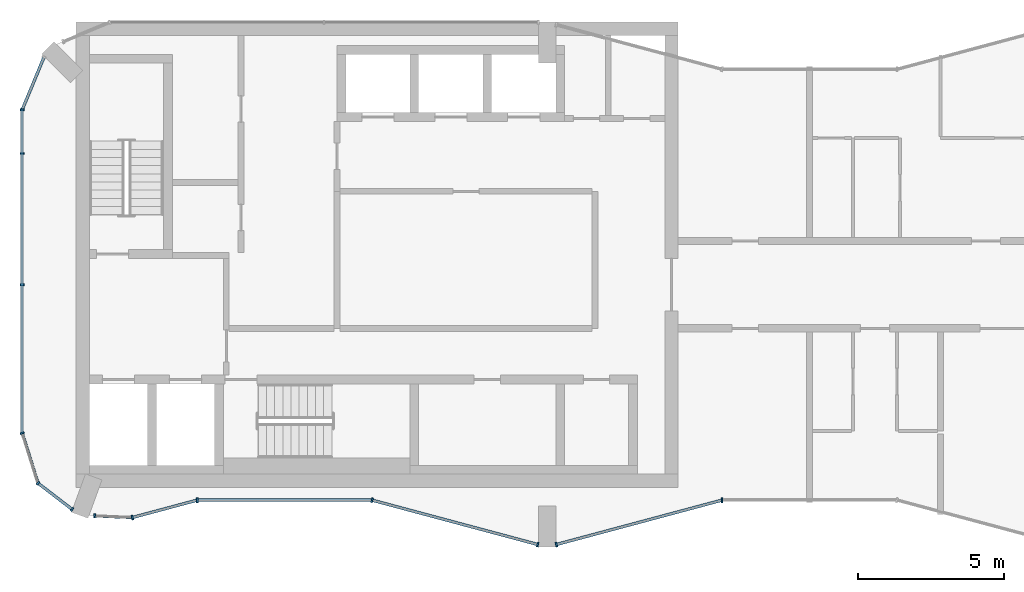
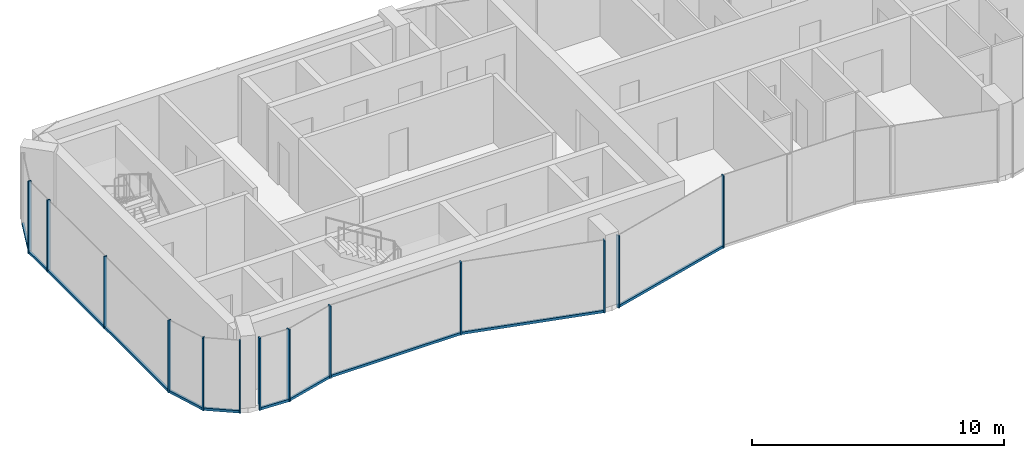
# One storey, part 2 of 10: 22 members, 10 elements without a shape of their own.
"""IFC4 building model written with IfcOpenShell, lengths in metres."""

from ifc_helpers import new_model, si_unit, direction, frame, origin, origin_2d, place, context, subcontext, project, spatial, rectangle, extrude, material, layer, layer_set, material_profile, profile_set, type_object, element, aggregate, save


model = new_model("IFC4")

# Units and contexts
model_context = context("Model", 3, precision=1e-05, world=origin(), true_north=direction((0.0, 1.0)))
body_context = subcontext(model_context, "Body", "Model", "MODEL_VIEW")
ifc_project = project(units=[si_unit("LENGTHUNIT", "METRE"), si_unit("AREAUNIT", "SQUARE_METRE"), si_unit("VOLUMEUNIT", "CUBIC_METRE"), si_unit("PLANEANGLEUNIT", "RADIAN"), si_unit("MASSUNIT", "GRAM", prefix="KILO")], contexts=[model_context])

# Site, building, storey
site_placement = place(None, origin())
site = spatial("IfcSite", under=ifc_project, at=site_placement, CompositionType="ELEMENT")
building_placement = place(site_placement, origin())
building = spatial("IfcBuilding", under=site, at=building_placement, Name="Plateau Cross Towers", CompositionType="ELEMENT")
storey_placement = place(building_placement, frame((0.0, 0.0, 273.89990234375)))
storey = spatial("IfcBuildingStorey", under=building, at=storey_placement, Name="L72", CompositionType="ELEMENT", Elevation=273.89990234375)

# Curtain wall, members
ifc_material_1 = material(Name="Dark low-iron glass", Category="glass")
ifc_layer_1 = layer(ifc_material_1, 0.239990234375)
ifc_layer_set_1 = layer_set([ifc_layer_1], Name="Dark low-iron glass")
curtain_wall_type_1 = type_object("IfcCurtainWallType", Name="Curtain wall flush unitised CW-B", PredefinedType="NOTDEFINED", material=ifc_layer_set_1)
curtain_wall_1_placement = place(storey_placement, origin())
curtain_wall_1 = element("IfcCurtainWall", 1, at=curtain_wall_1_placement, inside=storey, type_object=curtain_wall_type_1, Name="ENV/A/L72/A0_150", PredefinedType="NOTDEFINED")
ifc_material_2 = material(Name="Black anodised aluminium", Category="aluminium")
ifc_material_profile_1 = material_profile(ifc_material_2, rectangle(XDim=0.06005859375, YDim=0.139892578125, at=origin_2d()), Name="MULLION 60x140")
ifc_profile_set_1 = profile_set([ifc_material_profile_1], Name="Black anodised aluminium")
member_type_1 = type_object("IfcMemberType", Name="Mullion 60x140 flush unitised", PredefinedType="MULLION", material=ifc_profile_set_1)
member_1_placement = place(storey_placement, frame((0.0, 15.0, -0.25), z_axis=(0.0, 0.0, 1.0), x_axis=(0.0, -1.0, 0.0)))
member_1 = element("IfcMember", 2, at=member_1_placement, type_object=member_type_1, Name="CW-B mullion 1", PredefinedType="MULLION", context=body_context, shape_type="SweptSolid", body=[
    extrude(rectangle(XDim=0.06005859375, YDim=0.139892578125, at=origin_2d()), origin(), (0.0, 0.0, 1.0), 3.5),
])
member_2_placement = place(storey_placement, frame((0.0, 13.5, -0.25), z_axis=(0.0, 0.0, 1.0), x_axis=(0.0, -1.0, 0.0)))
member_2 = element("IfcMember", 3, at=member_2_placement, type_object=member_type_1, Name="CW-B mullion 2", PredefinedType="MULLION", context=body_context, shape_type="SweptSolid", body=[
    extrude(rectangle(XDim=0.06005859375, YDim=0.139892578125, at=origin_2d()), origin(), (0.0, 0.0, 1.0), 3.5),
])
member_3_placement = place(storey_placement, frame((0.0, 9.0, -0.25), z_axis=(0.0, 0.0, 1.0), x_axis=(0.0, -1.0, 0.0)))
member_3 = element("IfcMember", 4, at=member_3_placement, type_object=member_type_1, Name="CW-B mullion 3", PredefinedType="MULLION", context=body_context, shape_type="SweptSolid", body=[
    extrude(rectangle(XDim=0.06005859375, YDim=0.139892578125, at=origin_2d()), origin(), (0.0, 0.0, 1.0), 3.5),
])

# Curtain wall, member
curtain_wall_2_placement = place(storey_placement, origin())
curtain_wall_2 = element("IfcCurtainWall", 5, at=curtain_wall_2_placement, inside=storey, type_object=curtain_wall_type_1, Name="ENV/A/L72/A0_39", PredefinedType="NOTDEFINED")
member_4_placement = place(storey_placement, frame((0.0, 3.9091796875, -0.25), z_axis=(0.0, 0.0, 1.0), x_axis=(0.300686174994, -0.95372313811, 0.0)))
member_4 = element("IfcMember", 6, at=member_4_placement, type_object=member_type_1, Name="CW-B mullion 1", PredefinedType="MULLION", context=body_context, shape_type="SweptSolid", body=[
    extrude(rectangle(XDim=0.06005859375, YDim=0.139892578125, at=origin_2d()), origin(), (0.0, 0.0, 1.0), 3.5),
])

# Curtain wall, members
curtain_wall_3_placement = place(storey_placement, origin())
curtain_wall_3 = element("IfcCurtainWall", 7, at=curtain_wall_3_placement, inside=storey, type_object=curtain_wall_type_1, Name="ENV/A/L72/A5_22", PredefinedType="NOTDEFINED")
member_5_placement = place(storey_placement, frame((0.54248046875, 2.1884765625, -0.25), z_axis=(0.0, 0.0, 1.0), x_axis=(0.793315514529, -0.608810721331, 0.0)))
member_5 = element("IfcMember", 8, at=member_5_placement, type_object=member_type_1, Name="CW-B mullion 1", PredefinedType="MULLION", context=body_context, shape_type="SweptSolid", body=[
    extrude(rectangle(XDim=0.06005859375, YDim=0.139892578125, at=origin_2d()), origin(), (0.0, 0.0, 1.0), 3.5),
])
member_6_placement = place(storey_placement, frame((1.709716796875, 1.292724609375, -0.25), z_axis=(0.0, 0.0, 1.0), x_axis=(0.793315514529, -0.608810721331, 0.0)))
member_6 = element("IfcMember", 9, at=member_6_placement, type_object=member_type_1, Name="CW-B mullion 2", PredefinedType="MULLION", context=body_context, shape_type="SweptSolid", body=[
    extrude(rectangle(XDim=0.06005859375, YDim=0.139892578125, at=origin_2d()), origin(), (0.0, 0.0, 1.0), 3.5),
])

# Curtain wall, member
curtain_wall_4_placement = place(storey_placement, origin())
curtain_wall_4 = element("IfcCurtainWall", 10, at=curtain_wall_4_placement, inside=storey, type_object=curtain_wall_type_1, Name="ENV/A/L72/A25_11", PredefinedType="NOTDEFINED")
member_7_placement = place(storey_placement, frame((2.483642578125, 1.06787109375, -0.25), z_axis=(0.0, 0.0, 1.0), x_axis=(0.999043701491, -0.043722791671, 0.0)))
member_7 = element("IfcMember", 11, at=member_7_placement, type_object=member_type_1, Name="CW-B mullion 1", PredefinedType="MULLION", context=body_context, shape_type="SweptSolid", body=[
    extrude(rectangle(XDim=0.06005859375, YDim=0.139892578125, at=origin_2d()), origin(), (0.0, 0.0, 1.0), 3.5),
])

ifc_layer_2 = layer(ifc_material_1, 0.260009765625)
ifc_layer_set_2 = layer_set([ifc_layer_2], Name="Dark low-iron glass")
curtain_wall_type_2 = type_object("IfcCurtainWallType", Name="Curtain wall fluted unitised CW-A", PredefinedType="NOTDEFINED", material=ifc_layer_set_2)
curtain_wall_5_placement = place(storey_placement, origin())
curtain_wall_5 = element("IfcCurtainWall", 12, at=curtain_wall_5_placement, inside=storey, type_object=curtain_wall_type_2, Name="ENV/A/L72/A38_10", PredefinedType="NOTDEFINED")
ifc_material_profile_2 = material_profile(ifc_material_2, rectangle(XDim=0.06005859375, YDim=0.159912109375, at=origin_2d()), Name="MULLION 60x160")
ifc_profile_set_2 = profile_set([ifc_material_profile_2], Name="Black anodised aluminium")
member_type_2 = type_object("IfcMemberType", Name="Mullion 60x160 fluted unitised", PredefinedType="MULLION", material=ifc_profile_set_2)
member_8_placement = place(storey_placement, frame((3.776123046875, 1.01123046875, -0.25), z_axis=(0.0, 0.0, 1.0), x_axis=(0.965957962328, 0.258699081978, 0.0)))
member_8 = element("IfcMember", 13, at=member_8_placement, type_object=member_type_2, Name="CW-A mullion 1", PredefinedType="MULLION", context=body_context, shape_type="SweptSolid", body=[
    extrude(rectangle(XDim=0.06005859375, YDim=0.159912109375, at=origin_2d()), origin(), (0.0, 0.0, 1.0), 3.5),
])

curtain_wall_6_placement = place(storey_placement, origin())
curtain_wall_6 = element("IfcCurtainWall", 14, at=curtain_wall_6_placement, inside=storey, type_object=curtain_wall_type_2, Name="ENV/A/L72/A60_16", PredefinedType="NOTDEFINED")
member_9_placement = place(storey_placement, frame((6.0, 1.60693359375, -0.25), z_axis=(0.0, 0.0, 1.0), x_axis=(1.0, 0.0, 0.0)))
member_9 = element("IfcMember", 15, at=member_9_placement, type_object=member_type_2, Name="CW-A mullion 1", PredefinedType="MULLION", context=body_context, shape_type="SweptSolid", body=[
    extrude(rectangle(XDim=0.06005859375, YDim=0.159912109375, at=origin_2d()), origin(), (0.0, 0.0, 1.0), 3.5),
])

# Curtain wall, members
curtain_wall_7_placement = place(storey_placement, origin())
curtain_wall_7 = element("IfcCurtainWall", 16, at=curtain_wall_7_placement, inside=storey, type_object=curtain_wall_type_2, Name="ENV/A/L72/A120_16", PredefinedType="NOTDEFINED")
member_10_placement = place(storey_placement, frame((12.0, 1.60693359375, -0.25), z_axis=(0.0, 0.0, 1.0), x_axis=(0.965957983404, -0.258699003279, 0.0)))
member_10 = element("IfcMember", 17, at=member_10_placement, type_object=member_type_2, Name="CW-A mullion 1", PredefinedType="MULLION", context=body_context, shape_type="SweptSolid", body=[
    extrude(rectangle(XDim=0.06005859375, YDim=0.159912109375, at=origin_2d()), origin(), (0.0, 0.0, 1.0), 3.5),
])
member_11_placement = place(storey_placement, frame((17.68212890625, 0.085205078125, -0.25), z_axis=(0.0, 0.0, 1.0), x_axis=(0.965957983404, -0.258699003279, 0.0)))
member_11 = element("IfcMember", 18, at=member_11_placement, type_object=member_type_2, Name="CW-A mullion 2", PredefinedType="MULLION", context=body_context, shape_type="SweptSolid", body=[
    extrude(rectangle(XDim=0.06005859375, YDim=0.159912109375, at=origin_2d()), origin(), (0.0, 0.0, 1.0), 3.5),
])

# Curtain wall, member
curtain_wall_8_placement = place(storey_placement, origin())
curtain_wall_8 = element("IfcCurtainWall", 19, at=curtain_wall_8_placement, inside=storey, type_object=curtain_wall_type_2, Name="ENV/A/L72/A183_1", PredefinedType="NOTDEFINED")
member_12_placement = place(storey_placement, frame((18.31787109375, 0.085205078125, -0.25), z_axis=(0.0, 0.0, 1.0), x_axis=(0.965957983404, 0.258699003279, 0.0)))
member_12 = element("IfcMember", 20, at=member_12_placement, type_object=member_type_2, Name="CW-A mullion 1", PredefinedType="MULLION", context=body_context, shape_type="SweptSolid", body=[
    extrude(rectangle(XDim=0.06005859375, YDim=0.159912109375, at=origin_2d()), origin(), (0.0, 0.0, 1.0), 3.5),
])

curtain_wall_9_placement = place(storey_placement, origin())
curtain_wall_9 = element("IfcCurtainWall", 21, at=curtain_wall_9_placement, inside=storey, type_object=curtain_wall_type_2, Name="ENV/A/L72/A240_16", PredefinedType="NOTDEFINED")
member_13_placement = place(storey_placement, frame((24.0, 1.60693359375, -0.25), z_axis=(0.0, 0.0, 1.0), x_axis=(1.0, 0.0, 0.0)))
member_13 = element("IfcMember", 22, at=member_13_placement, type_object=member_type_2, Name="CW-A mullion 1", PredefinedType="MULLION", context=body_context, shape_type="SweptSolid", body=[
    extrude(rectangle(XDim=0.06005859375, YDim=0.159912109375, at=origin_2d()), origin(), (0.0, 0.0, 1.0), 3.5),
])
aggregate(curtain_wall_9, [member_13])

curtain_wall_10_placement = place(storey_placement, origin())
curtain_wall_10 = element("IfcCurtainWall", 23, at=curtain_wall_10_placement, inside=storey, type_object=curtain_wall_type_1, Name="ENV/A/L72/A7_168", PredefinedType="NOTDEFINED")
ifc_material_profile_3 = material_profile(ifc_material_2, rectangle(XDim=0.10009765625, YDim=0.1201171875, at=origin_2d()), Name="TRANSOM 100x120")
ifc_profile_set_3 = profile_set([ifc_material_profile_3], Name="Black anodised aluminium")
member_type_3 = type_object("IfcMemberType", Name="Transom 100x120 flush unitised", PredefinedType="USERDEFINED", material=ifc_profile_set_3)
member_14_placement = place(storey_placement, frame((0.748046875, 16.805908203125, -0.18994140625), z_axis=(-0.382690071798, -0.92387678234, 0.0), x_axis=(0.92387678234, -0.382690071798, 0.0)))
member_14 = element("IfcMember", 24, at=member_14_placement, type_object=member_type_3, Name="CW-B transom", ObjectType="TRANSOM", PredefinedType="USERDEFINED", context=body_context, shape_type="SweptSolid", body=[
    extrude(rectangle(XDim=0.10009765625, YDim=0.1201171875, at=origin_2d()), origin(), (0.0, 0.0, 1.0), 1.95458984375),
])
aggregate(curtain_wall_10, [member_14])

# Member
member_15_placement = place(storey_placement, frame((0.0, 15.0, -0.18994140625), z_axis=(0.0, -1.0, 0.0), x_axis=(1.0, 0.0, 0.0)))
member_15 = element("IfcMember", 25, at=member_15_placement, type_object=member_type_3, Name="CW-B transom", ObjectType="TRANSOM", PredefinedType="USERDEFINED", context=body_context, shape_type="SweptSolid", body=[
    extrude(rectangle(XDim=0.10009765625, YDim=0.1201171875, at=origin_2d()), origin(), (0.0, 0.0, 1.0), 11.0908203125),
])

aggregate(curtain_wall_1, [member_1, member_2, member_3, member_15])

member_16_placement = place(storey_placement, frame((0.0, 3.9091796875, -0.18994140625), z_axis=(0.30067799945, -0.953725715626, 0.0), x_axis=(0.953725715626, 0.30067799945, 0.0)))
member_16 = element("IfcMember", 26, at=member_16_placement, type_object=member_type_3, Name="CW-B transom", ObjectType="TRANSOM", PredefinedType="USERDEFINED", context=body_context, shape_type="SweptSolid", body=[
    extrude(rectangle(XDim=0.10009765625, YDim=0.1201171875, at=origin_2d()), origin(), (0.0, 0.0, 1.0), 1.80419921875),
])

aggregate(curtain_wall_2, [member_4, member_16])

member_17_placement = place(storey_placement, frame((0.54248046875, 2.1884765625, -0.18994140625), z_axis=(0.793320508571, -0.608804213751, 0.0), x_axis=(0.608804213751, 0.793320508571, 0.0)))
member_17 = element("IfcMember", 27, at=member_17_placement, type_object=member_type_3, Name="CW-B transom", ObjectType="TRANSOM", PredefinedType="USERDEFINED", context=body_context, shape_type="SweptSolid", body=[
    extrude(rectangle(XDim=0.10009765625, YDim=0.1201171875, at=origin_2d()), origin(), (0.0, 0.0, 1.0), 1.471435546875),
])

aggregate(curtain_wall_3, [member_5, member_6, member_17])

member_18_placement = place(storey_placement, frame((2.483642578125, 1.06787109375, -0.18994140625), z_axis=(0.999041144614, -0.043781175963, 0.0), x_axis=(0.043781175963, 0.999041144614, 0.0)))
member_18 = element("IfcMember", 28, at=member_18_placement, type_object=member_type_3, Name="CW-B transom", ObjectType="TRANSOM", PredefinedType="USERDEFINED", context=body_context, shape_type="SweptSolid", body=[
    extrude(rectangle(XDim=0.10009765625, YDim=0.1201171875, at=origin_2d()), origin(), (0.0, 0.0, 1.0), 1.293701171875),
])

aggregate(curtain_wall_4, [member_7, member_18])

ifc_material_profile_4 = material_profile(ifc_material_2, rectangle(XDim=0.10009765625, YDim=0.1201171875, at=origin_2d()), Name="TRANSOM 100x120")
ifc_profile_set_4 = profile_set([ifc_material_profile_4], Name="Black anodised aluminium")
member_type_4 = type_object("IfcMemberType", Name="Transom 100x120 fluted unitised", PredefinedType="USERDEFINED", material=ifc_profile_set_4)
member_19_placement = place(storey_placement, frame((3.776123046875, 1.01123046875, -0.18994140625), z_axis=(0.965945685136, 0.258744919501, 0.0), x_axis=(-0.258744919501, 0.965945685136, 0.0)))
member_19 = element("IfcMember", 29, at=member_19_placement, type_object=member_type_4, Name="CW-A transom", ObjectType="TRANSOM", PredefinedType="USERDEFINED", context=body_context, shape_type="SweptSolid", body=[
    extrude(rectangle(XDim=0.10009765625, YDim=0.1201171875, at=origin_2d()), origin(), (0.0, 0.0, 1.0), 2.30224609375),
])

aggregate(curtain_wall_5, [member_8, member_19])

member_20_placement = place(storey_placement, frame((6.0, 1.60693359375, -0.18994140625), z_axis=(1.0, 0.0, 0.0), x_axis=(0.0, 1.0, 0.0)))
member_20 = element("IfcMember", 30, at=member_20_placement, type_object=member_type_4, Name="CW-A transom", ObjectType="TRANSOM", PredefinedType="USERDEFINED", context=body_context, shape_type="SweptSolid", body=[
    extrude(rectangle(XDim=0.10009765625, YDim=0.1201171875, at=origin_2d()), origin(), (0.0, 0.0, 1.0), 6.0),
])

aggregate(curtain_wall_6, [member_9, member_20])

member_21_placement = place(storey_placement, frame((12.0, 1.60693359375, -0.18994140625), z_axis=(0.965959534794, -0.258693210465, 0.0), x_axis=(0.258693210465, 0.965959534794, 0.0)))
member_21 = element("IfcMember", 31, at=member_21_placement, type_object=member_type_4, Name="CW-A transom", ObjectType="TRANSOM", PredefinedType="USERDEFINED", context=body_context, shape_type="SweptSolid", body=[
    extrude(rectangle(XDim=0.10009765625, YDim=0.1201171875, at=origin_2d()), origin(), (0.0, 0.0, 1.0), 5.88232421875),
])

aggregate(curtain_wall_7, [member_10, member_11, member_21])

member_22_placement = place(storey_placement, frame((18.31787109375, 0.085205078125, -0.18994140625), z_axis=(0.965959534794, 0.258693210465, 0.0), x_axis=(-0.258693210465, 0.965959534794, 0.0)))
member_22 = element("IfcMember", 32, at=member_22_placement, type_object=member_type_4, Name="CW-A transom", ObjectType="TRANSOM", PredefinedType="USERDEFINED", context=body_context, shape_type="SweptSolid", body=[
    extrude(rectangle(XDim=0.10009765625, YDim=0.1201171875, at=origin_2d()), origin(), (0.0, 0.0, 1.0), 5.88232421875),
])

aggregate(curtain_wall_8, [member_12, member_22])

save(model, "model.ifc")
